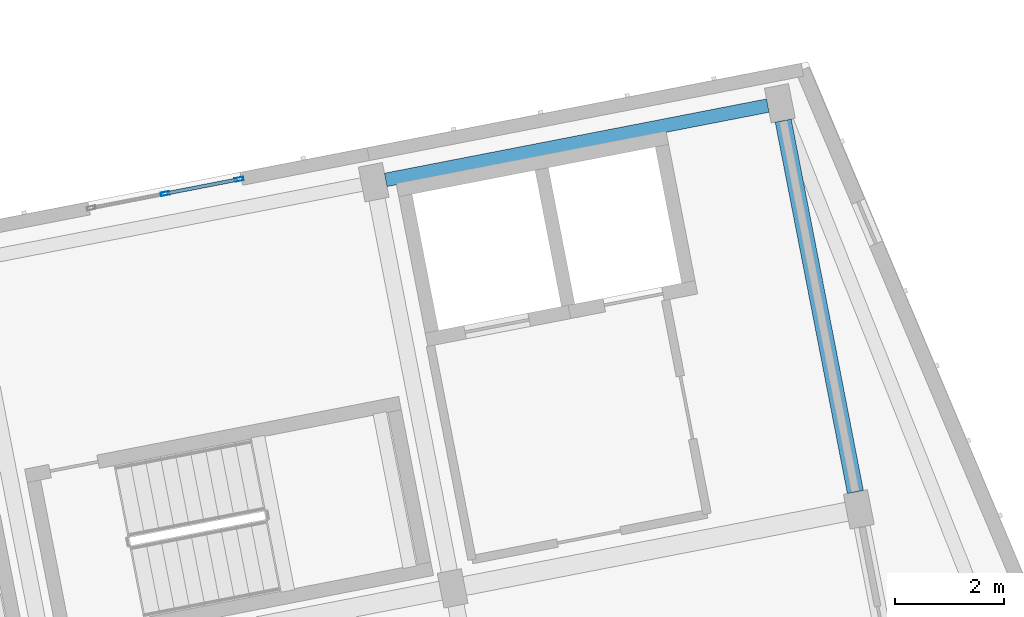
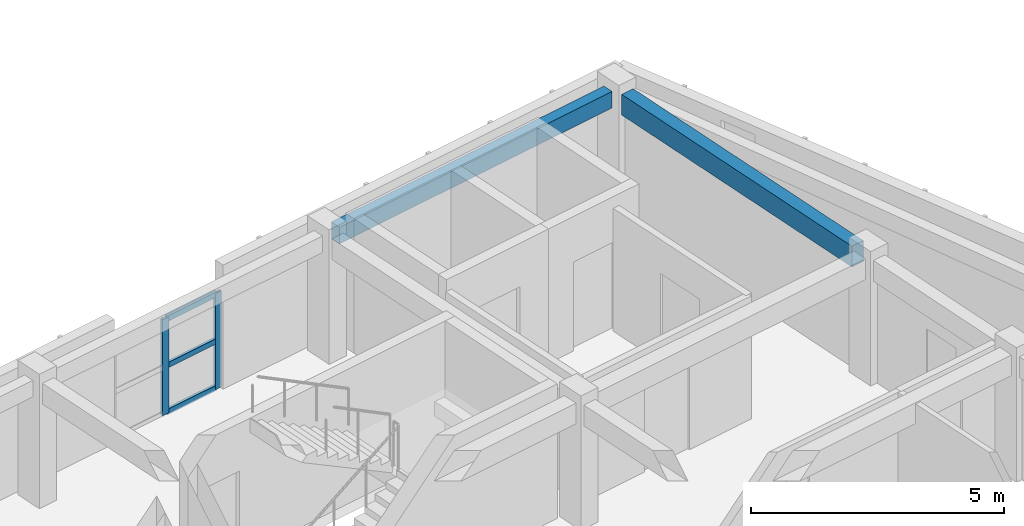
# One storey, part 12 of 68: 5 members, 2 beams, 1 element without a shape of its own.
"""IFC4 building model written with IfcOpenShell, lengths in metres."""

from ifc_helpers import new_model, si_unit, direction, frame, origin, origin_2d, place, context, subcontext, project, spatial, rectangle, hollow_rectangle, extrude, material, material_profile, profile_set, type_object, element, aggregate, save


model = new_model("IFC4")

# Units and contexts
model_context = context("Model", 3, precision=1e-05, world=origin(), true_north=direction((0.0, 1.0)))
body_context = subcontext(model_context, "Body", "Model", "MODEL_VIEW")
ifc_project = project(units=[si_unit("LENGTHUNIT", "METRE"), si_unit("AREAUNIT", "SQUARE_METRE"), si_unit("VOLUMEUNIT", "CUBIC_METRE"), si_unit("PLANEANGLEUNIT", "RADIAN"), si_unit("MASSUNIT", "GRAM", prefix="KILO")], contexts=[model_context])

# Site, building, storey
site_placement = place(None, origin())
site = spatial("IfcSite", under=ifc_project, at=site_placement, CompositionType="ELEMENT")
building_placement = place(site_placement, origin())
building = spatial("IfcBuilding", under=site, at=building_placement, Name="Kestramere Prow Commons", CompositionType="ELEMENT")
storey_placement = place(building_placement, frame((0.0, 0.0, 18.14990234375)))
storey = spatial("IfcBuildingStorey", under=building, at=storey_placement, Name="L05", CompositionType="ELEMENT", Elevation=18.14990234375)

# Beam
ifc_material_1 = material(Name="Precast concrete C40/50", Category="concrete")
ifc_material_profile_1 = material_profile(ifc_material_1, rectangle(XDim=0.300048828125, YDim=0.5, at=origin_2d()), Name="PC-BM 300x500")
ifc_profile_set_1 = profile_set([ifc_material_profile_1], Name="Precast concrete C40/50")
beam_type_1 = type_object("IfcBeamType", Name="BM-TIE-01 PC-BM 300x500", PredefinedType="BEAM", material=ifc_profile_set_1)
beam_1_placement = place(storey_placement, frame((160.810546875, 54.799560546875, 2.75), z_axis=(-0.190817005532, 0.981625626397, 0.0), x_axis=(-0.981625626397, -0.190817005532, 0.0)))
element("IfcBeam", 1, at=beam_1_placement, inside=storey, type_object=beam_type_1, Name="Block D L05 Transverse Beam 7-3", PredefinedType="BEAM", context=body_context, shape_type="SweptSolid", body=[
    extrude(rectangle(XDim=0.300048828125, YDim=0.5, at=origin_2d()), origin(), (0.0, 0.0, 1.0), 6.949951171875),
])

# Curtain wall, members
ifc_material_2 = material(Name="Anodised Aluminium and Low-E Glass", Category="aluminium")
curtain_wall_type = type_object("IfcCurtainWallType", Name="CW-03 Glazed Curtain Wall 2830x2320", PredefinedType="USERDEFINED", material=ifc_material_2)
curtain_wall_placement = place(storey_placement, origin())
curtain_wall = element("IfcCurtainWall", 2, at=curtain_wall_placement, inside=storey, type_object=curtain_wall_type, Name="Block D L05 Stairwell Vertical Glazing 5", ObjectType="GLAZED CURTAIN WALL", PredefinedType="USERDEFINED")
ifc_material_3 = material(Name="Anodised Aluminium 6063-T6", Category="aluminium")
ifc_material_profile_2 = material_profile(ifc_material_3, hollow_rectangle(XDim=0.06494140625, YDim=0.159912109375, WallThickness=0.00390625, at=origin_2d()), Name="ALU-MUL 65x160")
ifc_profile_set_2 = profile_set([ifc_material_profile_2], Name="Anodised Aluminium 6063-T6")
member_type_1 = type_object("IfcMemberType", Name="CW-MUL-65x160", PredefinedType="MULLION", material=ifc_profile_set_2)
member_1_placement = place(storey_placement, frame((148.131591796875, 60.281005859375, 0.0), z_axis=(0.0, 0.0, 1.0), x_axis=(-0.190808835118, 0.981627214599, 0.0)))
member_1 = element("IfcMember", 3, at=member_1_placement, type_object=member_type_1, Name="CW-03 mullion 2", PredefinedType="MULLION", context=body_context, shape_type="SweptSolid", body=[
    extrude(hollow_rectangle(XDim=0.06494140625, YDim=0.159912109375, WallThickness=0.00390625, at=origin_2d()), origin(), (0.0, 0.0, 1.0), 2.320068359375),
])
member_2_placement = place(storey_placement, frame((149.48876953125, 60.544677734375, 0.0), z_axis=(0.0, 0.0, 1.0), x_axis=(-0.190808835118, 0.981627214599, 0.0)))
member_2 = element("IfcMember", 4, at=member_2_placement, type_object=member_type_1, Name="CW-03 mullion 3", PredefinedType="MULLION", context=body_context, shape_type="SweptSolid", body=[
    extrude(hollow_rectangle(XDim=0.06494140625, YDim=0.159912109375, WallThickness=0.00390625, at=origin_2d()), origin(), (0.0, 0.0, 1.0), 2.320068359375),
])
ifc_material_profile_3 = material_profile(ifc_material_3, hollow_rectangle(XDim=0.06494140625, YDim=0.1298828125, WallThickness=0.00390625, at=origin_2d()), Name="ALU-TRN 65x130")
ifc_profile_set_3 = profile_set([ifc_material_profile_3], Name="Anodised Aluminium 6063-T6")
member_type_2 = type_object("IfcMemberType", Name="CW-TRN-65x130", PredefinedType="USERDEFINED", material=ifc_profile_set_3)
member_3_placement = place(storey_placement, frame((148.16357421875, 60.287109375, 0.03271484375), z_axis=(0.981614425191, 0.190874619208, 0.0), x_axis=(-0.190874619208, 0.981614425191, 0.0)))
member_3 = element("IfcMember", 5, at=member_3_placement, type_object=member_type_2, Name="CW-03 transom 2.1", ObjectType="TRANSOM", PredefinedType="USERDEFINED", context=body_context, shape_type="SweptSolid", body=[
    extrude(hollow_rectangle(XDim=0.06494140625, YDim=0.1298828125, WallThickness=0.00390625, at=origin_2d()), origin(), (0.0, 0.0, 1.0), 1.3173828125),
])
member_4_placement = place(storey_placement, frame((148.16357421875, 60.287109375, 1.16015625), z_axis=(0.981614425191, 0.190874619208, 0.0), x_axis=(-0.190874619208, 0.981614425191, 0.0)))
member_4 = element("IfcMember", 6, at=member_4_placement, type_object=member_type_2, Name="CW-03 transom 2.2", ObjectType="TRANSOM", PredefinedType="USERDEFINED", context=body_context, shape_type="SweptSolid", body=[
    extrude(hollow_rectangle(XDim=0.06494140625, YDim=0.1298828125, WallThickness=0.00390625, at=origin_2d()), origin(), (0.0, 0.0, 1.0), 1.3173828125),
])
member_5_placement = place(storey_placement, frame((148.16357421875, 60.287109375, 2.28759765625), z_axis=(0.981614425191, 0.190874619208, 0.0), x_axis=(-0.190874619208, 0.981614425191, 0.0)))
member_5 = element("IfcMember", 7, at=member_5_placement, type_object=member_type_2, Name="CW-03 transom 2.3", ObjectType="TRANSOM", PredefinedType="USERDEFINED", context=body_context, shape_type="SweptSolid", body=[
    extrude(hollow_rectangle(XDim=0.06494140625, YDim=0.1298828125, WallThickness=0.00390625, at=origin_2d()), origin(), (0.0, 0.0, 1.0), 1.3173828125),
])
aggregate(curtain_wall, [member_1, member_2, member_3, member_4, member_5])

# Beam
ifc_material_profile_4 = material_profile(ifc_material_1, rectangle(XDim=0.25, YDim=0.39990234375, at=origin_2d()), Name="PC-SP 250x400")
ifc_profile_set_4 = profile_set([ifc_material_profile_4], Name="Precast concrete C40/50")
beam_type_2 = type_object("IfcBeamType", Name="SP-EXT-01 PC-SP 250x400", PredefinedType="SPANDREL", material=ifc_profile_set_4)
beam_2_placement = place(storey_placement, frame((152.182861328125, 60.533447265625, 2.800048828125), z_axis=(0.981621075955, 0.19084041302, 0.0), x_axis=(-0.19084041302, 0.981621075955, 0.0)))
element("IfcBeam", 8, at=beam_2_placement, inside=storey, type_object=beam_type_2, Name="Block D L05 Longitudinal Beam 4-6", PredefinedType="SPANDREL", context=body_context, shape_type="SweptSolid", body=[
    extrude(rectangle(XDim=0.25, YDim=0.39990234375, at=origin_2d()), origin(), (0.0, 0.0, 1.0), 7.14990234375),
])

save(model, "model.ifc")
